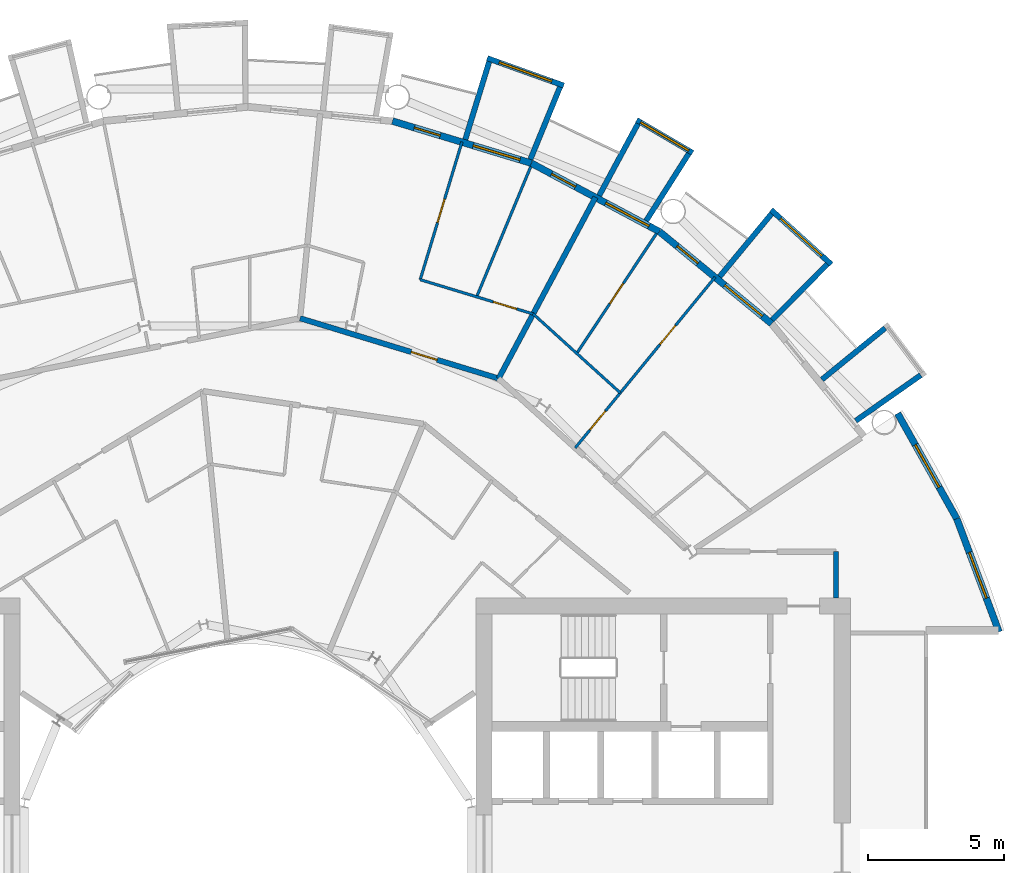
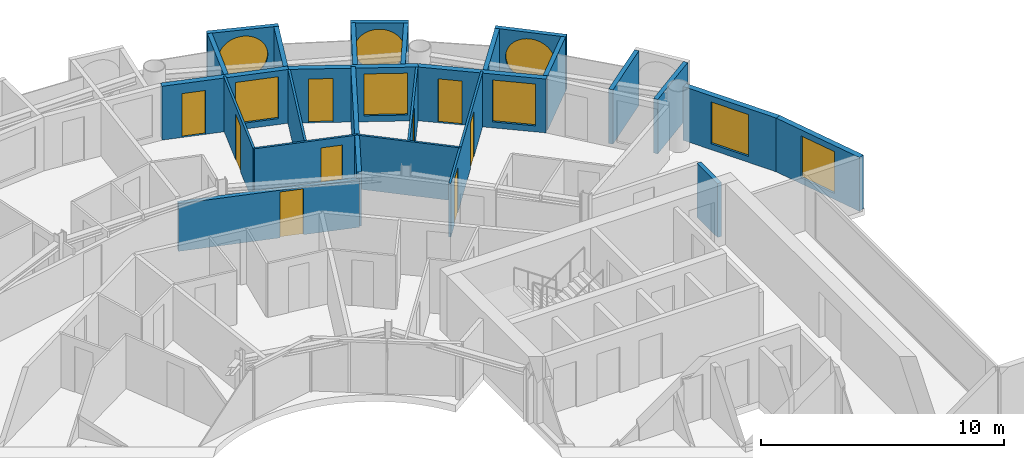
# One storey, part 23 of 28: 25 walls, 9 doors, 8 windows, 17 openings.
"""IFC4 building model written with IfcOpenShell, lengths in metres."""

from ifc_helpers import new_model, si_unit, direction, frame, frame_2d, origin, place, context, subcontext, project, spatial, rectangle, circle, extrude, material, layer, layer_set, type_object, element, fill, save


model = new_model("IFC4")

# Units and contexts
model_context = context("Model", 3, precision=1e-05, world=origin(), true_north=direction((0.0, 1.0)))
body_context = subcontext(model_context, "Body", "Model", "MODEL_VIEW")
ifc_project = project(units=[si_unit("LENGTHUNIT", "METRE"), si_unit("AREAUNIT", "SQUARE_METRE"), si_unit("VOLUMEUNIT", "CUBIC_METRE"), si_unit("PLANEANGLEUNIT", "RADIAN"), si_unit("MASSUNIT", "GRAM", prefix="KILO")], contexts=[model_context])

# Site, building, storey
site_placement = place(None, origin())
site = spatial("IfcSite", under=ifc_project, at=site_placement, CompositionType="ELEMENT")
building_placement = place(site_placement, origin())
building = spatial("IfcBuilding", under=site, at=building_placement, Name="Maasbend Ring Residences", CompositionType="ELEMENT")
storey_placement = place(building_placement, frame((0.0, 0.0, 129.949951171875)))
storey = spatial("IfcBuildingStorey", under=building, at=storey_placement, Name="L37", CompositionType="ELEMENT", Elevation=129.949951171875)

# Wall
ifc_material_1 = material(Name="Concrete C30/37", Category="concrete")
ifc_layer_1 = layer(ifc_material_1, 0.199951171875)
ifc_layer_set_1 = layer_set([ifc_layer_1], Name="Concrete C30/37")
wall_type_1 = type_object("IfcWallType", Name="CORRIDOR WALL 200 CONCRETE", PredefinedType="PARTITIONING", material=ifc_layer_set_1)
wall_1_placement = place(storey_placement, frame((21.675048828125, 9.199951171875, 0.0), z_axis=(0.0, 0.0, 1.0), x_axis=(0.0, 1.0, 0.0)))
element("IfcWall", 1, at=wall_1_placement, inside=storey, type_object=wall_type_1, Name="U-L37-w004", PredefinedType="PARTITIONING", context=body_context, shape_type="SweptSolid", body=[
    extrude(rectangle(XDim=1.699951171875, YDim=0.199951171875, at=frame_2d((0.85009765625, 0.0))), origin(), (0.0, 0.0, 1.0), 2.699951171875),
])

# Wall, opening, door
wall_2_placement = place(storey_placement, frame((1.9208984375, 19.506103515625, 0.0), z_axis=(0.0, 0.0, 1.0), x_axis=(0.956929842753, -0.290319265721, 0.0)))
wall_2 = element("IfcWall", 2, at=wall_2_placement, inside=storey, type_object=wall_type_1, Name="U-L37-w116", PredefinedType="PARTITIONING", context=body_context, shape_type="SweptSolid", body=[
    extrude(rectangle(XDim=7.6474609375, YDim=0.199951171875, at=frame_2d((3.82373046875, 0.0))), origin(), (0.0, 0.0, 1.0), 2.39013671875),
])
opening_1_placement = place(wall_2_placement, frame((4.280029296875, 0.0, 0.0)))
opening_1 = element("IfcOpeningElement", 3, at=opening_1_placement, cuts=wall_2, Name="Opening D-3707", PredefinedType="OPENING", context=body_context, shape_type="SweptSolid", body=[
    extrude(rectangle(XDim=1.0, YDim=2.300048828125, at=frame_2d((0.5, 1.14990234375))), frame((0.0, 0.10986328125, 0.0), z_axis=(0.0, -1.0, 0.0), x_axis=(1.0, 0.0, 0.0)), (0.0, 0.0, 1.0), 0.219970703125),
])
ifc_material_2 = material(Name="Timber, fire-rated, painted", Category="wood")
door_type_1 = type_object("IfcDoorType", Name="FLAT ENTRANCE DOOR 1000 X 2300 FIRE-RATED", OperationType="NOTDEFINED", PredefinedType="DOOR", material=ifc_material_2)
door_1_placement = place(opening_1_placement, origin())
door_1 = element("IfcDoor", 4, at=door_1_placement, inside=storey, type_object=door_type_1, Name="D-3707", OperationType="SINGLE_SWING_RIGHT", OverallHeight=2.300048828125, OverallWidth=1.0, PredefinedType="DOOR", context=body_context, shape_type="SweptSolid", body=[
    extrude(rectangle(XDim=1.0, YDim=2.300048828125, at=frame_2d((0.5, 1.14990234375))), frame((0.0, 0.02490234375, 0.0), z_axis=(0.0, -1.0, 0.0), x_axis=(1.0, 0.0, 0.0)), (0.0, 0.0, 1.0), 0.050048828125),
])
fill(opening_1, door_1)

# Walls
ifc_material_3 = material(Name="Pale anodised aluminium panel", Category="aluminium")
ifc_layer_2 = layer(ifc_material_3, 0.199951171875)
ifc_layer_set_2 = layer_set([ifc_layer_2], Name="EW-BOX")
wall_type_2 = type_object("IfcWallType", Name="EW-BOX", PredefinedType="SOLIDWALL", material=ifc_layer_set_2)
wall_3_placement = place(storey_placement, frame((22.402099609375, 15.72607421875, -0.030029296875), z_axis=(0.0, 0.0, 1.0), x_axis=(0.818275399393, 0.574826383135, 0.0)))
element("IfcWall", 5, at=wall_3_placement, inside=storey, type_object=wall_type_2, Name="Box side wall N01 left", PredefinedType="SOLIDWALL", context=body_context, shape_type="SweptSolid", body=[
    extrude(rectangle(XDim=2.92919921875, YDim=0.199951171875, at=frame_2d((1.464599609375, 0.0))), origin(), (0.0, 0.0, 1.0), 2.72998046875),
])
wall_4_placement = place(storey_placement, frame((21.155029296875, 17.24609375, -0.030029296875), z_axis=(0.0, 0.0, 1.0), x_axis=(0.775179004516, 0.631741648902, 0.0)))
element("IfcWall", 6, at=wall_4_placement, inside=storey, type_object=wall_type_2, Name="Box side wall N01 right", PredefinedType="SOLIDWALL", context=body_context, shape_type="SweptSolid", body=[
    extrude(rectangle(XDim=3.005859375, YDim=0.199951171875, at=frame_2d((1.5029296875, 0.0))), origin(), (0.0, 0.0, 1.0), 2.72998046875),
])

# Wall, opening, window
wall_5_placement = place(storey_placement, frame((21.5, 21.492919921875, -0.030029296875), z_axis=(0.0, 0.0, 1.0), x_axis=(-0.740998365753, 0.671506829416, 0.0)))
wall_5 = element("IfcWall", 7, at=wall_5_placement, inside=storey, type_object=wall_type_2, Name="Box front N03", PredefinedType="SOLIDWALL", context=body_context, shape_type="SweptSolid", body=[
    extrude(rectangle(XDim=2.9931640625, YDim=0.199951171875, at=frame_2d((1.49658203125, 0.0))), origin(), (0.0, 0.0, 1.0), 2.72998046875),
])
opening_2_placement = place(wall_5_placement, frame((0.45654296875, 0.0, 0.330078125)))
opening_2 = element("IfcOpeningElement", 8, at=opening_2_placement, cuts=wall_5, Name="Opening W-RD", PredefinedType="OPENING", context=body_context, shape_type="SweptSolid", body=[
    extrude(circle(Radius=1.0400390625, at=frame_2d((1.0400390625, 1.0400390625))), frame((0.0, 0.10986328125, 0.0), z_axis=(0.0, -1.0, 0.0), x_axis=(1.0, 0.0, 0.0)), (0.0, 0.0, 1.0), 0.219970703125),
])
ifc_material_4 = material(Name="Aluminium and clear glass", Category="aluminium")
window_type_1 = type_object("IfcWindowType", Name="W-RD", PartitioningType="SINGLE_PANEL", PredefinedType="WINDOW", material=ifc_material_4)
window_1_placement = place(opening_2_placement, origin())
window_1 = element("IfcWindow", 9, at=window_1_placement, inside=storey, type_object=window_type_1, Name="Round window N03", OverallHeight=2.080078125, OverallWidth=2.080078125, PartitioningType="SINGLE_PANEL", PredefinedType="WINDOW", context=body_context, shape_type="SweptSolid", body=[
    extrude(circle(Radius=1.0400390625, at=frame_2d((1.0400390625, 1.0400390625))), frame((0.0, 0.030029296875, 0.0), z_axis=(0.0, -1.0, 0.0), x_axis=(1.0, 0.0, 0.0)), (0.0, 0.0, 1.0), 0.06005859375),
])
fill(opening_2, window_1)

# Walls
wall_6_placement = place(storey_placement, frame((19.322998046875, 19.449951171875, -0.030029296875), z_axis=(0.0, 0.0, 1.0), x_axis=(0.704476739375, 0.709727076896, 0.0)))
element("IfcWall", 10, at=wall_6_placement, inside=storey, type_object=wall_type_2, Name="Box side wall N03 left", PredefinedType="SOLIDWALL", context=body_context, shape_type="SweptSolid", body=[
    extrude(rectangle(XDim=2.883056640625, YDim=0.199951171875, at=frame_2d((1.44140625, 0.0))), origin(), (0.0, 0.0, 1.0), 2.72998046875),
])
wall_7_placement = place(storey_placement, frame((17.384033203125, 21.041015625, -0.030029296875), z_axis=(0.0, 0.0, 1.0), x_axis=(0.63709551667, 0.770784861449, 0.0)))
element("IfcWall", 11, at=wall_7_placement, inside=storey, type_object=wall_type_2, Name="Box side wall N03 right", PredefinedType="SOLIDWALL", context=body_context, shape_type="SweptSolid", body=[
    extrude(rectangle(XDim=3.005859375, YDim=0.199951171875, at=frame_2d((1.5029296875, 0.0))), origin(), (0.0, 0.0, 1.0), 2.72998046875),
])

# Wall, opening, window
wall_8_placement = place(storey_placement, frame((16.389892578125, 25.60302734375, -0.030029296875), z_axis=(0.0, 0.0, 1.0), x_axis=(-0.862762477128, 0.505609442218, 0.0)))
wall_8 = element("IfcWall", 12, at=wall_8_placement, inside=storey, type_object=wall_type_2, Name="Box front N05", PredefinedType="SOLIDWALL", context=body_context, shape_type="SweptSolid", body=[
    extrude(rectangle(XDim=2.39111328125, YDim=0.199951171875, at=frame_2d((1.195556640625, 0.0))), origin(), (0.0, 0.0, 1.0), 2.72998046875),
])
opening_3_placement = place(wall_8_placement, frame((0.15576171875, 0.0, 0.330078125)))
opening_3 = element("IfcOpeningElement", 13, at=opening_3_placement, cuts=wall_8, Name="Opening W-RD", PredefinedType="OPENING", context=body_context, shape_type="SweptSolid", body=[
    extrude(circle(Radius=1.0400390625, at=frame_2d((1.0400390625, 1.0400390625))), frame((0.0, 0.10986328125, 0.0), z_axis=(0.0, -1.0, 0.0), x_axis=(1.0, 0.0, 0.0)), (0.0, 0.0, 1.0), 0.219970703125),
])
window_2_placement = place(opening_3_placement, origin())
window_2 = element("IfcWindow", 14, at=window_2_placement, inside=storey, type_object=window_type_1, Name="Round window N05", OverallHeight=2.080078125, OverallWidth=2.080078125, PartitioningType="SINGLE_PANEL", PredefinedType="WINDOW", context=body_context, shape_type="SweptSolid", body=[
    extrude(circle(Radius=1.0400390625, at=frame_2d((1.0400390625, 1.0400390625))), frame((0.0, 0.030029296875, 0.0), z_axis=(0.0, -1.0, 0.0), x_axis=(1.0, 0.0, 0.0)), (0.0, 0.0, 1.0), 0.06005859375),
])
fill(opening_3, window_2)

# Walls
wall_9_placement = place(storey_placement, frame((14.677978515625, 23.10205078125, -0.030029296875), z_axis=(0.0, 0.0, 1.0), x_axis=(0.536001536573, 0.844217005746, 0.0)))
element("IfcWall", 15, at=wall_9_placement, inside=storey, type_object=wall_type_2, Name="Box side wall N05 left", PredefinedType="SOLIDWALL", context=body_context, shape_type="SweptSolid", body=[
    extrude(rectangle(XDim=2.92919921875, YDim=0.199951171875, at=frame_2d((1.464599609375, 0.0))), origin(), (0.0, 0.0, 1.0), 2.72998046875),
])
wall_10_placement = place(storey_placement, frame((12.945068359375, 24.029052734375, -0.030029296875), z_axis=(0.0, 0.0, 1.0), x_axis=(0.474424310775, 0.88029629861, 0.0)))
element("IfcWall", 16, at=wall_10_placement, inside=storey, type_object=wall_type_2, Name="Box side wall N05 right", PredefinedType="SOLIDWALL", context=body_context, shape_type="SweptSolid", body=[
    extrude(rectangle(XDim=3.005859375, YDim=0.199951171875, at=frame_2d((1.5029296875, 0.0))), origin(), (0.0, 0.0, 1.0), 2.72998046875),
])

# Wall, opening, window
wall_11_placement = place(storey_placement, frame((11.637939453125, 28.083984375, -0.030029296875), z_axis=(0.0, 0.0, 1.0), x_axis=(-0.941461077774, 0.337121697664, 0.0)))
wall_11 = element("IfcWall", 17, at=wall_11_placement, inside=storey, type_object=wall_type_2, Name="Box front N07", PredefinedType="SOLIDWALL", context=body_context, shape_type="SweptSolid", body=[
    extrude(rectangle(XDim=2.9931640625, YDim=0.199951171875, at=frame_2d((1.49658203125, 0.0))), origin(), (0.0, 0.0, 1.0), 2.72998046875),
])
opening_4_placement = place(wall_11_placement, frame((0.45654296875, 0.0, 0.330078125)))
opening_4 = element("IfcOpeningElement", 18, at=opening_4_placement, cuts=wall_11, Name="Opening W-RD", PredefinedType="OPENING", context=body_context, shape_type="SweptSolid", body=[
    extrude(circle(Radius=1.0400390625, at=frame_2d((1.0400390625, 1.0400390625))), frame((0.0, 0.10986328125, 0.0), z_axis=(0.0, -1.0, 0.0), x_axis=(1.0, 0.0, 0.0)), (0.0, 0.0, 1.0), 0.219970703125),
])
window_3_placement = place(opening_4_placement, origin())
window_3 = element("IfcWindow", 19, at=window_3_placement, inside=storey, type_object=window_type_1, Name="Round window N07", OverallHeight=2.080078125, OverallWidth=2.080078125, PartitioningType="SINGLE_PANEL", PredefinedType="WINDOW", context=body_context, shape_type="SweptSolid", body=[
    extrude(circle(Radius=1.0400390625, at=frame_2d((1.0400390625, 1.0400390625))), frame((0.0, 0.030029296875, 0.0), z_axis=(0.0, -1.0, 0.0), x_axis=(1.0, 0.0, 0.0)), (0.0, 0.0, 1.0), 0.06005859375),
])
fill(opening_4, window_3)

# Walls
wall_12_placement = place(storey_placement, frame((10.408935546875, 25.364013671875, -0.030029296875), z_axis=(0.0, 0.0, 1.0), x_axis=(0.379509886562, 0.925187681501, 0.0)))
element("IfcWall", 20, at=wall_12_placement, inside=storey, type_object=wall_type_2, Name="Box side wall N07 left", PredefinedType="SOLIDWALL", context=body_context, shape_type="SweptSolid", body=[
    extrude(rectangle(XDim=2.882568359375, YDim=0.199951171875, at=frame_2d((1.44140625, 0.0))), origin(), (0.0, 0.0, 1.0), 2.72998046875),
])
wall_13_placement = place(storey_placement, frame((8.009033203125, 26.092041015625, -0.030029296875), z_axis=(0.0, 0.0, 1.0), x_axis=(0.293406695073, 0.955987715029, 0.0)))
element("IfcWall", 21, at=wall_13_placement, inside=storey, type_object=wall_type_2, Name="Box side wall N07 right", PredefinedType="SOLIDWALL", context=body_context, shape_type="SweptSolid", body=[
    extrude(rectangle(XDim=3.00634765625, YDim=0.199951171875, at=frame_2d((1.503173828125, 0.0))), origin(), (0.0, 0.0, 1.0), 2.72998046875),
])

# Wall, openings, door, window
ifc_material_5 = material(Name="Aluminium clad insulated panel", Category="aluminium")
ifc_layer_3 = layer(ifc_material_5, 0.25)
ifc_layer_set_3 = layer_set([ifc_layer_3], Name="EW-GL")
wall_type_3 = type_object("IfcWallType", Name="EW-GL", PredefinedType="SOLIDWALL", material=ifc_layer_set_3)
wall_14_placement = place(storey_placement, frame((19.303955078125, 19.303955078125, 0.0), z_axis=(0.0, 0.0, 1.0), x_axis=(-0.773019449054, 0.634382322723, 0.0)))
wall_14 = element("IfcWall", 22, at=wall_14_placement, inside=storey, type_object=wall_type_3, Name="External wall N02", PredefinedType="SOLIDWALL", context=body_context, shape_type="SweptSolid", body=[
    extrude(rectangle(XDim=5.351806640625, YDim=0.25, at=frame_2d((2.67578125, 0.0))), origin(), (0.0, 0.0, 1.0), 2.699951171875),
])
opening_5_placement = place(wall_14_placement, frame((0.441162109375, 0.0, 0.300048828125)))
opening_5 = element("IfcOpeningElement", 23, at=opening_5_placement, cuts=wall_14, Name="Opening W-BX", PredefinedType="OPENING", context=body_context, shape_type="SweptSolid", body=[
    extrude(rectangle(XDim=1.800048828125, YDim=2.10009765625, at=frame_2d((0.89990234375, 1.050048828125))), frame((0.0, 0.135009765625, 0.0), z_axis=(0.0, -1.0, 0.0), x_axis=(1.0, 0.0, 0.0)), (0.0, 0.0, 1.0), 0.27001953125),
])
opening_6_placement = place(wall_14_placement, frame((3.510498046875, 0.0, 0.0)))
opening_6 = element("IfcOpeningElement", 24, at=opening_6_placement, cuts=wall_14, Name="Opening D-LG", PredefinedType="OPENING", context=body_context, shape_type="SweptSolid", body=[
    extrude(rectangle(XDim=1.0, YDim=2.199951171875, at=frame_2d((0.5, 1.10009765625))), frame((0.0, 0.135009765625, 0.0), z_axis=(0.0, -1.0, 0.0), x_axis=(1.0, 0.0, 0.0)), (0.0, 0.0, 1.0), 0.27001953125),
])
ifc_material_6 = material(Name="Aluminium and clear glass", Category="aluminium")
door_type_2 = type_object("IfcDoorType", Name="D-LG", OperationType="SINGLE_SWING_LEFT", PredefinedType="DOOR", material=ifc_material_6)
door_2_placement = place(opening_6_placement, origin())
door_2 = element("IfcDoor", 25, at=door_2_placement, inside=storey, type_object=door_type_2, Name="Loggia door N04", OperationType="SINGLE_SWING_LEFT", OverallHeight=2.199951171875, OverallWidth=1.0, PredefinedType="DOOR", context=body_context, shape_type="SweptSolid", body=[
    extrude(rectangle(XDim=1.0, YDim=2.199951171875, at=frame_2d((0.5, 1.10009765625))), frame((0.0, 0.02490234375, 0.0), z_axis=(0.0, -1.0, 0.0), x_axis=(1.0, 0.0, 0.0)), (0.0, 0.0, 1.0), 0.050048828125),
])
fill(opening_6, door_2)
ifc_material_7 = material(Name="Aluminium and clear glass", Category="aluminium")
window_type_2 = type_object("IfcWindowType", Name="W-BX", PartitioningType="DOUBLE_PANEL_VERTICAL", PredefinedType="WINDOW", material=ifc_material_7)
window_4_placement = place(opening_5_placement, origin())
window_4 = element("IfcWindow", 26, at=window_4_placement, inside=storey, type_object=window_type_2, Name="Window N03 room to box", OverallHeight=2.10009765625, OverallWidth=1.800048828125, PartitioningType="SINGLE_PANEL", PredefinedType="WINDOW", context=body_context, shape_type="SweptSolid", body=[
    extrude(rectangle(XDim=1.800048828125, YDim=2.10009765625, at=frame_2d((0.89990234375, 1.050048828125))), frame((0.0, 0.030029296875, 0.0), z_axis=(0.0, -1.0, 0.0), x_axis=(1.0, 0.0, 0.0)), (0.0, 0.0, 1.0), 0.06005859375),
])
fill(opening_5, window_4)

wall_15_placement = place(storey_placement, frame((15.1669921875, 22.698974609375, 0.0), z_axis=(0.0, 0.0, 1.0), x_axis=(-0.881915646801, 0.471407246368, 0.0)))
wall_15 = element("IfcWall", 27, at=wall_15_placement, inside=storey, type_object=wall_type_3, Name="External wall N03", PredefinedType="SOLIDWALL", context=body_context, shape_type="SweptSolid", body=[
    extrude(rectangle(XDim=5.35205078125, YDim=0.25, at=frame_2d((2.676025390625, 0.0))), origin(), (0.0, 0.0, 1.0), 2.699951171875),
])
opening_7_placement = place(wall_15_placement, frame((0.441162109375, 0.0, 0.300048828125)))
opening_7 = element("IfcOpeningElement", 28, at=opening_7_placement, cuts=wall_15, Name="Opening W-BX", PredefinedType="OPENING", context=body_context, shape_type="SweptSolid", body=[
    extrude(rectangle(XDim=1.800048828125, YDim=2.10009765625, at=frame_2d((0.89990234375, 1.050048828125))), frame((0.0, 0.135009765625, 0.0), z_axis=(0.0, -1.0, 0.0), x_axis=(1.0, 0.0, 0.0)), (0.0, 0.0, 1.0), 0.27001953125),
])
opening_8_placement = place(wall_15_placement, frame((3.510498046875, 0.0, 0.0)))
opening_8 = element("IfcOpeningElement", 29, at=opening_8_placement, cuts=wall_15, Name="Opening D-LG", PredefinedType="OPENING", context=body_context, shape_type="SweptSolid", body=[
    extrude(rectangle(XDim=1.0, YDim=2.199951171875, at=frame_2d((0.5, 1.10009765625))), frame((0.0, 0.135009765625, 0.0), z_axis=(0.0, -1.0, 0.0), x_axis=(1.0, 0.0, 0.0)), (0.0, 0.0, 1.0), 0.27001953125),
])
door_3_placement = place(opening_8_placement, origin())
door_3 = element("IfcDoor", 30, at=door_3_placement, inside=storey, type_object=door_type_2, Name="Loggia door N06", OperationType="SINGLE_SWING_LEFT", OverallHeight=2.199951171875, OverallWidth=1.0, PredefinedType="DOOR", context=body_context, shape_type="SweptSolid", body=[
    extrude(rectangle(XDim=1.0, YDim=2.199951171875, at=frame_2d((0.5, 1.10009765625))), frame((0.0, 0.02490234375, 0.0), z_axis=(0.0, -1.0, 0.0), x_axis=(1.0, 0.0, 0.0)), (0.0, 0.0, 1.0), 0.050048828125),
])
fill(opening_8, door_3)
window_5_placement = place(opening_7_placement, origin())
window_5 = element("IfcWindow", 31, at=window_5_placement, inside=storey, type_object=window_type_2, Name="Window N05 room to box", OverallHeight=2.10009765625, OverallWidth=1.800048828125, PartitioningType="SINGLE_PANEL", PredefinedType="WINDOW", context=body_context, shape_type="SweptSolid", body=[
    extrude(rectangle(XDim=1.800048828125, YDim=2.10009765625, at=frame_2d((0.89990234375, 1.050048828125))), frame((0.0, 0.030029296875, 0.0), z_axis=(0.0, -1.0, 0.0), x_axis=(1.0, 0.0, 0.0)), (0.0, 0.0, 1.0), 0.06005859375),
])
fill(opening_7, window_5)

wall_16_placement = place(storey_placement, frame((10.447021484375, 25.221923828125, 0.0), z_axis=(0.0, 0.0, 1.0), x_axis=(-0.956965678721, 0.290201119486, 0.0)))
wall_16 = element("IfcWall", 32, at=wall_16_placement, inside=storey, type_object=wall_type_3, Name="External wall N04", PredefinedType="SOLIDWALL", context=body_context, shape_type="SweptSolid", body=[
    extrude(rectangle(XDim=5.351318359375, YDim=0.25, at=frame_2d((2.67578125, 0.0))), origin(), (0.0, 0.0, 1.0), 2.699951171875),
])
opening_9_placement = place(wall_16_placement, frame((0.441162109375, 0.0, 0.300048828125)))
opening_9 = element("IfcOpeningElement", 33, at=opening_9_placement, cuts=wall_16, Name="Opening W-BX", PredefinedType="OPENING", context=body_context, shape_type="SweptSolid", body=[
    extrude(rectangle(XDim=1.800048828125, YDim=2.10009765625, at=frame_2d((0.89990234375, 1.050048828125))), frame((0.0, 0.135009765625, 0.0), z_axis=(0.0, -1.0, 0.0), x_axis=(1.0, 0.0, 0.0)), (0.0, 0.0, 1.0), 0.27001953125),
])
opening_10_placement = place(wall_16_placement, frame((3.510498046875, 0.0, 0.0)))
opening_10 = element("IfcOpeningElement", 34, at=opening_10_placement, cuts=wall_16, Name="Opening D-LG", PredefinedType="OPENING", context=body_context, shape_type="SweptSolid", body=[
    extrude(rectangle(XDim=1.0, YDim=2.199951171875, at=frame_2d((0.5, 1.10009765625))), frame((0.0, 0.135009765625, 0.0), z_axis=(0.0, -1.0, 0.0), x_axis=(1.0, 0.0, 0.0)), (0.0, 0.0, 1.0), 0.27001953125),
])
door_4_placement = place(opening_10_placement, origin())
door_4 = element("IfcDoor", 35, at=door_4_placement, inside=storey, type_object=door_type_2, Name="Loggia door N08", OperationType="SINGLE_SWING_LEFT", OverallHeight=2.199951171875, OverallWidth=1.0, PredefinedType="DOOR", context=body_context, shape_type="SweptSolid", body=[
    extrude(rectangle(XDim=1.0, YDim=2.199951171875, at=frame_2d((0.5, 1.10009765625))), frame((0.0, 0.02490234375, 0.0), z_axis=(0.0, -1.0, 0.0), x_axis=(1.0, 0.0, 0.0)), (0.0, 0.0, 1.0), 0.050048828125),
])
fill(opening_10, door_4)
window_6_placement = place(opening_9_placement, origin())
window_6 = element("IfcWindow", 36, at=window_6_placement, inside=storey, type_object=window_type_2, Name="Window N07 room to box", OverallHeight=2.10009765625, OverallWidth=1.800048828125, PartitioningType="SINGLE_PANEL", PredefinedType="WINDOW", context=body_context, shape_type="SweptSolid", body=[
    extrude(rectangle(XDim=1.800048828125, YDim=2.10009765625, at=frame_2d((0.89990234375, 1.050048828125))), frame((0.0, 0.030029296875, 0.0), z_axis=(0.0, -1.0, 0.0), x_axis=(1.0, 0.0, 0.0)), (0.0, 0.0, 1.0), 0.06005859375),
])
fill(opening_9, window_6)

# Wall, opening, window
ifc_material_8 = material(Name="Aluminium clad insulated panel", Category="aluminium")
ifc_layer_4 = layer(ifc_material_8, 0.25)
ifc_layer_set_4 = layer_set([ifc_layer_4], Name="EW-HORN")
wall_type_4 = type_object("IfcWallType", Name="EW-HORN", PredefinedType="SOLIDWALL", material=ifc_layer_set_4)
wall_17_placement = place(storey_placement, frame((27.681884765625, 7.945068359375, 0.0), z_axis=(0.0, 0.0, 1.0), x_axis=(-0.349247811493, 0.937030397675, 0.0)))
wall_17 = element("IfcWall", 37, at=wall_17_placement, inside=storey, type_object=wall_type_4, Name="Horn wall 1.1", PredefinedType="SOLIDWALL", context=body_context, shape_type="SweptSolid", body=[
    extrude(rectangle(XDim=4.4521484375, YDim=0.25, at=frame_2d((2.22607421875, 0.0))), origin(), (0.0, 0.0, 1.0), 2.699951171875),
])
opening_11_placement = place(wall_17_placement, frame((1.32666015625, 0.0, 0.300048828125)))
opening_11 = element("IfcOpeningElement", 38, at=opening_11_placement, cuts=wall_17, Name="Opening W-BX", PredefinedType="OPENING", context=body_context, shape_type="SweptSolid", body=[
    extrude(rectangle(XDim=1.800048828125, YDim=2.10009765625, at=frame_2d((0.89990234375, 1.050048828125))), frame((0.0, 0.135009765625, 0.0), z_axis=(0.0, -1.0, 0.0), x_axis=(1.0, 0.0, 0.0)), (0.0, 0.0, 1.0), 0.27001953125),
])
window_7_placement = place(opening_11_placement, origin())
window_7 = element("IfcWindow", 39, at=window_7_placement, inside=storey, type_object=window_type_2, Name="Horn window 1.1", OverallHeight=2.10009765625, OverallWidth=1.800048828125, PartitioningType="SINGLE_PANEL", PredefinedType="WINDOW", context=body_context, shape_type="SweptSolid", body=[
    extrude(rectangle(XDim=1.800048828125, YDim=2.10009765625, at=frame_2d((0.89990234375, 1.050048828125))), frame((0.0, 0.030029296875, 0.0), z_axis=(0.0, -1.0, 0.0), x_axis=(1.0, 0.0, 0.0)), (0.0, 0.0, 1.0), 0.06005859375),
])
fill(opening_11, window_7)

wall_18_placement = place(storey_placement, frame((26.126953125, 12.116943359375, 0.0), z_axis=(0.0, 0.0, 1.0), x_axis=(-0.489696356642, 0.871893042919, 0.0)))
wall_18 = element("IfcWall", 40, at=wall_18_placement, inside=storey, type_object=wall_type_4, Name="Horn wall 1.2", PredefinedType="SOLIDWALL", context=body_context, shape_type="SweptSolid", body=[
    extrude(rectangle(XDim=4.45361328125, YDim=0.25, at=frame_2d((2.226806640625, 0.0))), origin(), (0.0, 0.0, 1.0), 2.699951171875),
])
opening_12_placement = place(wall_18_placement, frame((1.32666015625, 0.0, 0.300048828125)))
opening_12 = element("IfcOpeningElement", 41, at=opening_12_placement, cuts=wall_18, Name="Opening W-BX", PredefinedType="OPENING", context=body_context, shape_type="SweptSolid", body=[
    extrude(rectangle(XDim=1.800048828125, YDim=2.10009765625, at=frame_2d((0.89990234375, 1.050048828125))), frame((0.0, 0.135009765625, 0.0), z_axis=(0.0, -1.0, 0.0), x_axis=(1.0, 0.0, 0.0)), (0.0, 0.0, 1.0), 0.27001953125),
])
window_8_placement = place(opening_12_placement, origin())
window_8 = element("IfcWindow", 42, at=window_8_placement, inside=storey, type_object=window_type_2, Name="Horn window 1.2", OverallHeight=2.10009765625, OverallWidth=1.800048828125, PartitioningType="SINGLE_PANEL", PredefinedType="WINDOW", context=body_context, shape_type="SweptSolid", body=[
    extrude(rectangle(XDim=1.800048828125, YDim=2.10009765625, at=frame_2d((0.89990234375, 1.050048828125))), frame((0.0, 0.030029296875, 0.0), z_axis=(0.0, -1.0, 0.0), x_axis=(1.0, 0.0, 0.0)), (0.0, 0.0, 1.0), 0.06005859375),
])
fill(opening_12, window_8)

# Wall, opening, door
ifc_material_9 = material(Name="Gypsum board on steel studs", Category="steel")
ifc_layer_5 = layer(ifc_material_9, 0.10009765625)
ifc_layer_set_5 = layer_set([ifc_layer_5], Name="PARTITION 100 GYPSUM")
wall_type_5 = type_object("IfcWallType", Name="PARTITION 100 GYPSUM", PredefinedType="PARTITIONING", material=ifc_layer_set_5)
wall_19_placement = place(storey_placement, frame((6.34912109375, 20.929931640625, 0.0), z_axis=(0.0, 0.0, 1.0), x_axis=(0.290172218727, 0.956974442438, 0.0)))
wall_19 = element("IfcWall", 43, at=wall_19_placement, inside=storey, type_object=wall_type_5, Name="U-L37-w077", PredefinedType="PARTITIONING", context=body_context, shape_type="SweptSolid", body=[
    extrude(rectangle(XDim=5.30322265625, YDim=0.10009765625, at=frame_2d((2.651611328125, 0.0))), origin(), (0.0, 0.0, 1.0), 2.699951171875),
])
opening_13_placement = place(wall_19_placement, frame((2.201904296875, 0.0, 0.0)))
opening_13 = element("IfcOpeningElement", 44, at=opening_13_placement, cuts=wall_19, Name="Opening D-3709", PredefinedType="OPENING", context=body_context, shape_type="SweptSolid", body=[
    extrude(rectangle(XDim=0.89990234375, YDim=2.300048828125, at=frame_2d((0.449951171875, 1.14990234375))), frame((0.0, 0.06005859375, 0.0), z_axis=(0.0, -1.0, 0.0), x_axis=(1.0, 0.0, 0.0)), (0.0, 0.0, 1.0), 0.1201171875),
])
ifc_material_10 = material(Name="Timber, painted", Category="wood")
door_type_3 = type_object("IfcDoorType", Name="INTERNAL DOOR 900 X 2300", OperationType="NOTDEFINED", PredefinedType="DOOR", material=ifc_material_10)
door_5_placement = place(opening_13_placement, origin())
door_5 = element("IfcDoor", 45, at=door_5_placement, inside=storey, type_object=door_type_3, Name="D-3709", OperationType="SINGLE_SWING_RIGHT", OverallHeight=2.300048828125, OverallWidth=0.89990234375, PredefinedType="DOOR", context=body_context, shape_type="SweptSolid", body=[
    extrude(rectangle(XDim=0.89990234375, YDim=2.300048828125, at=frame_2d((0.449951171875, 1.14990234375))), frame((0.0, 0.02490234375, 0.0), z_axis=(0.0, -1.0, 0.0), x_axis=(1.0, 0.0, 0.0)), (0.0, 0.0, 1.0), 0.050048828125),
])
fill(opening_13, door_5)

# Wall
wall_20_placement = place(storey_placement, frame((8.430908203125, 20.298095703125, 0.0), z_axis=(0.0, 0.0, 1.0), x_axis=(0.383480536297, 0.923548958248, 0.0)))
element("IfcWall", 46, at=wall_20_placement, inside=storey, type_object=wall_type_5, Name="U-L37-w081", PredefinedType="PARTITIONING", context=body_context, shape_type="SweptSolid", body=[
    extrude(rectangle(XDim=5.195068359375, YDim=0.10009765625, at=frame_2d((2.59765625, 0.0))), origin(), (0.0, 0.0, 1.0), 2.699951171875),
])

# Wall, openings, doors
wall_21_placement = place(storey_placement, frame((12.06201171875, 14.72705078125, 0.0), z_axis=(0.0, 0.0, 1.0), x_axis=(0.633664062855, 0.773608334654, 0.0)))
wall_21 = element("IfcWall", 47, at=wall_21_placement, inside=storey, type_object=wall_type_5, Name="U-L37-w087", PredefinedType="PARTITIONING", context=body_context, shape_type="SweptSolid", body=[
    extrude(rectangle(XDim=8.138427734375, YDim=0.10009765625, at=frame_2d((4.0693359375, 0.0))), origin(), (0.0, 0.0, 1.0), 2.699951171875),
])
opening_14_placement = place(wall_21_placement, frame((0.861083984375, 0.0, 0.0)))
opening_14 = element("IfcOpeningElement", 48, at=opening_14_placement, cuts=wall_21, Name="Opening D-3704", PredefinedType="OPENING", context=body_context, shape_type="SweptSolid", body=[
    extrude(rectangle(XDim=0.89990234375, YDim=2.300048828125, at=frame_2d((0.449951171875, 1.14990234375))), frame((0.0, 0.06005859375, 0.0), z_axis=(0.0, -1.0, 0.0), x_axis=(1.0, 0.0, 0.0)), (0.0, 0.0, 1.0), 0.1201171875),
])
opening_15_placement = place(wall_21_placement, frame((4.931884765625, 0.0, 0.0)))
opening_15 = element("IfcOpeningElement", 49, at=opening_15_placement, cuts=wall_21, Name="Opening D-3705", PredefinedType="OPENING", context=body_context, shape_type="SweptSolid", body=[
    extrude(rectangle(XDim=0.89990234375, YDim=2.300048828125, at=frame_2d((0.449951171875, 1.14990234375))), frame((0.0, 0.06005859375, 0.0), z_axis=(0.0, -1.0, 0.0), x_axis=(1.0, 0.0, 0.0)), (0.0, 0.0, 1.0), 0.1201171875),
])
door_6_placement = place(opening_14_placement, origin())
door_6 = element("IfcDoor", 50, at=door_6_placement, inside=storey, type_object=door_type_3, Name="D-3704", OperationType="SINGLE_SWING_LEFT", OverallHeight=2.300048828125, OverallWidth=0.89990234375, PredefinedType="DOOR", context=body_context, shape_type="SweptSolid", body=[
    extrude(rectangle(XDim=0.89990234375, YDim=2.300048828125, at=frame_2d((0.449951171875, 1.14990234375))), frame((0.0, 0.02490234375, 0.0), z_axis=(0.0, -1.0, 0.0), x_axis=(1.0, 0.0, 0.0)), (0.0, 0.0, 1.0), 0.050048828125),
])
fill(opening_14, door_6)
door_7_placement = place(opening_15_placement, origin())
door_7 = element("IfcDoor", 51, at=door_7_placement, inside=storey, type_object=door_type_3, Name="D-3705", OperationType="SINGLE_SWING_RIGHT", OverallHeight=2.300048828125, OverallWidth=0.89990234375, PredefinedType="DOOR", context=body_context, shape_type="SweptSolid", body=[
    extrude(rectangle(XDim=0.89990234375, YDim=2.300048828125, at=frame_2d((0.449951171875, 1.14990234375))), frame((0.0, 0.02490234375, 0.0), z_axis=(0.0, -1.0, 0.0), x_axis=(1.0, 0.0, 0.0)), (0.0, 0.0, 1.0), 0.050048828125),
])
fill(opening_15, door_7)

# Wall, opening, door
wall_22_placement = place(storey_placement, frame((12.117919921875, 18.2109375, 0.0), z_axis=(0.0, 0.0, 1.0), x_axis=(0.553913391217, 0.832574294, 0.0)))
wall_22 = element("IfcWall", 52, at=wall_22_placement, inside=storey, type_object=wall_type_5, Name="U-L37-w089", PredefinedType="PARTITIONING", context=body_context, shape_type="SweptSolid", body=[
    extrude(rectangle(XDim=5.300537109375, YDim=0.10009765625, at=frame_2d((2.650390625, 0.0))), origin(), (0.0, 0.0, 1.0), 2.699951171875),
])
opening_16_placement = place(wall_22_placement, frame((2.199951171875, 0.0, 0.0)))
opening_16 = element("IfcOpeningElement", 53, at=opening_16_placement, cuts=wall_22, Name="Opening D-3706", PredefinedType="OPENING", context=body_context, shape_type="SweptSolid", body=[
    extrude(rectangle(XDim=0.89990234375, YDim=2.300048828125, at=frame_2d((0.449951171875, 1.14990234375))), frame((0.0, 0.06005859375, 0.0), z_axis=(0.0, -1.0, 0.0), x_axis=(1.0, 0.0, 0.0)), (0.0, 0.0, 1.0), 0.1201171875),
])
door_8_placement = place(opening_16_placement, origin())
door_8 = element("IfcDoor", 54, at=door_8_placement, inside=storey, type_object=door_type_3, Name="D-3706", OperationType="SINGLE_SWING_LEFT", OverallHeight=2.300048828125, OverallWidth=0.89990234375, PredefinedType="DOOR", context=body_context, shape_type="SweptSolid", body=[
    extrude(rectangle(XDim=0.89990234375, YDim=2.300048828125, at=frame_2d((0.449951171875, 1.14990234375))), frame((0.0, 0.02490234375, 0.0), z_axis=(0.0, -1.0, 0.0), x_axis=(1.0, 0.0, 0.0)), (0.0, 0.0, 1.0), 0.050048828125),
])
fill(opening_16, door_8)

# Wall
wall_23_placement = place(storey_placement, frame((10.509033203125, 19.6689453125, 0.0), z_axis=(0.0, 0.0, 1.0), x_axis=(0.7410823244, -0.671414170584, 0.0)))
element("IfcWall", 55, at=wall_23_placement, inside=storey, type_object=wall_type_5, Name="U-L37-w121", PredefinedType="PARTITIONING", context=body_context, shape_type="SweptSolid", body=[
    extrude(rectangle(XDim=4.33837890625, YDim=0.10009765625, at=frame_2d((2.169189453125, 0.0))), origin(), (0.0, 0.0, 1.0), 2.699951171875),
])

# Wall, opening, door
wall_24_placement = place(storey_placement, frame((6.35107421875, 20.927978515625, 0.0), z_axis=(0.0, 0.0, 1.0), x_axis=(0.956861661621, -0.290543904633, 0.0)))
wall_24 = element("IfcWall", 56, at=wall_24_placement, inside=storey, type_object=wall_type_5, Name="U-L37-w126", PredefinedType="PARTITIONING", context=body_context, shape_type="SweptSolid", body=[
    extrude(rectangle(XDim=4.35693359375, YDim=0.10009765625, at=frame_2d((2.178466796875, 0.0))), origin(), (0.0, 0.0, 1.0), 2.699951171875),
])
opening_17_placement = place(wall_24_placement, frame((2.81201171875, 0.0, 0.0)))
opening_17 = element("IfcOpeningElement", 57, at=opening_17_placement, cuts=wall_24, Name="Opening D-3710", PredefinedType="OPENING", context=body_context, shape_type="SweptSolid", body=[
    extrude(rectangle(XDim=0.89990234375, YDim=2.300048828125, at=frame_2d((0.449951171875, 1.14990234375))), frame((0.0, 0.06005859375, 0.0), z_axis=(0.0, -1.0, 0.0), x_axis=(1.0, 0.0, 0.0)), (0.0, 0.0, 1.0), 0.1201171875),
])
door_9_placement = place(opening_17_placement, origin())
door_9 = element("IfcDoor", 58, at=door_9_placement, inside=storey, type_object=door_type_3, Name="D-3710", OperationType="SINGLE_SWING_RIGHT", OverallHeight=2.300048828125, OverallWidth=0.89990234375, PredefinedType="DOOR", context=body_context, shape_type="SweptSolid", body=[
    extrude(rectangle(XDim=0.89990234375, YDim=2.300048828125, at=frame_2d((0.449951171875, 1.14990234375))), frame((0.0, 0.02490234375, 0.0), z_axis=(0.0, -1.0, 0.0), x_axis=(1.0, 0.0, 0.0)), (0.0, 0.0, 1.0), 0.050048828125),
])
fill(opening_17, door_9)

# Wall
ifc_material_11 = material(Name="Concrete C30/37", Category="concrete")
ifc_layer_6 = layer(ifc_material_11, 0.199951171875)
ifc_layer_set_6 = layer_set([ifc_layer_6], Name="Concrete C30/37")
wall_type_6 = type_object("IfcWallType", Name="PARTY WALL 200 CONCRETE", PredefinedType="PARTITIONING", material=ifc_layer_set_6)
wall_25_placement = place(storey_placement, frame((9.239013671875, 17.285888671875, 0.0), z_axis=(0.0, 0.0, 1.0), x_axis=(0.471439510802, 0.881898399848, 0.0)))
element("IfcWall", 59, at=wall_25_placement, inside=storey, type_object=wall_type_6, Name="U-L37-w083", PredefinedType="PARTITIONING", context=body_context, shape_type="SweptSolid", body=[
    extrude(rectangle(XDim=7.57470703125, YDim=0.199951171875, at=frame_2d((3.787353515625, 0.0))), origin(), (0.0, 0.0, 1.0), 2.699951171875),
])

save(model, "model.ifc")
